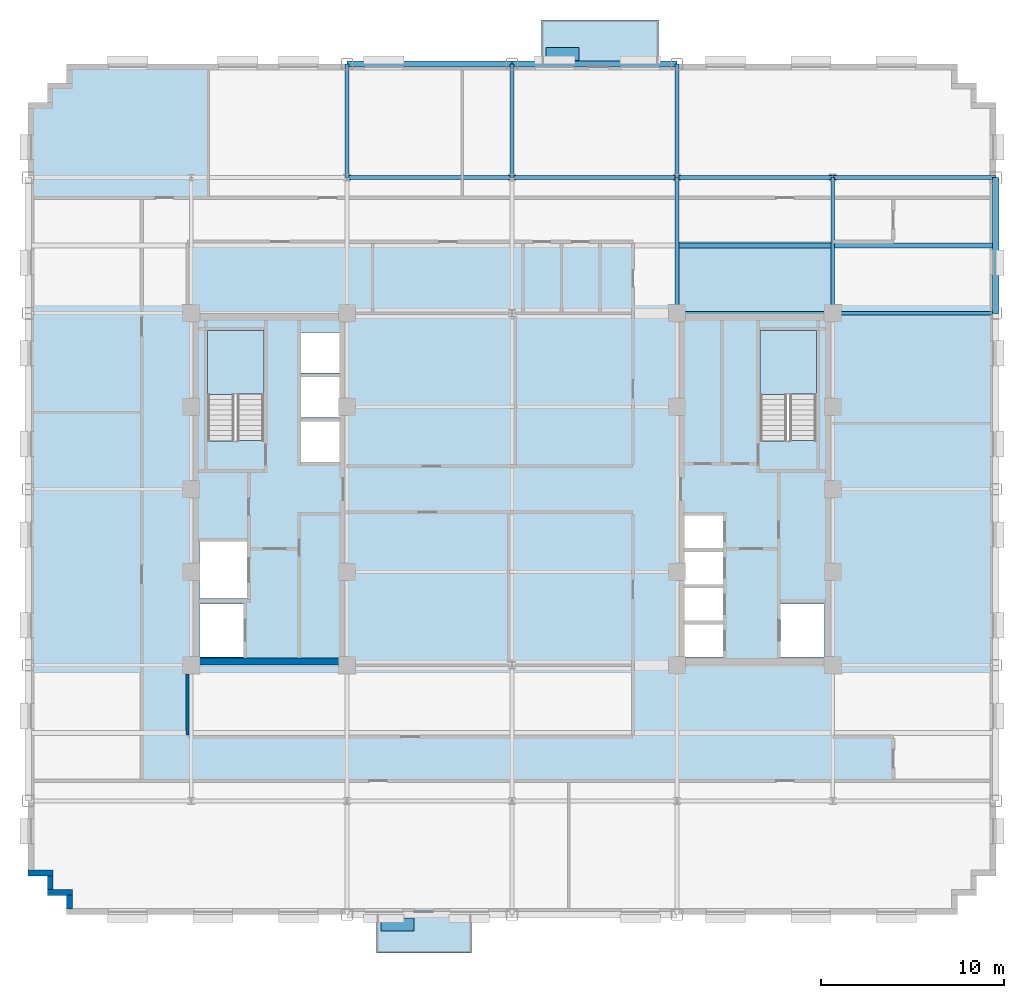
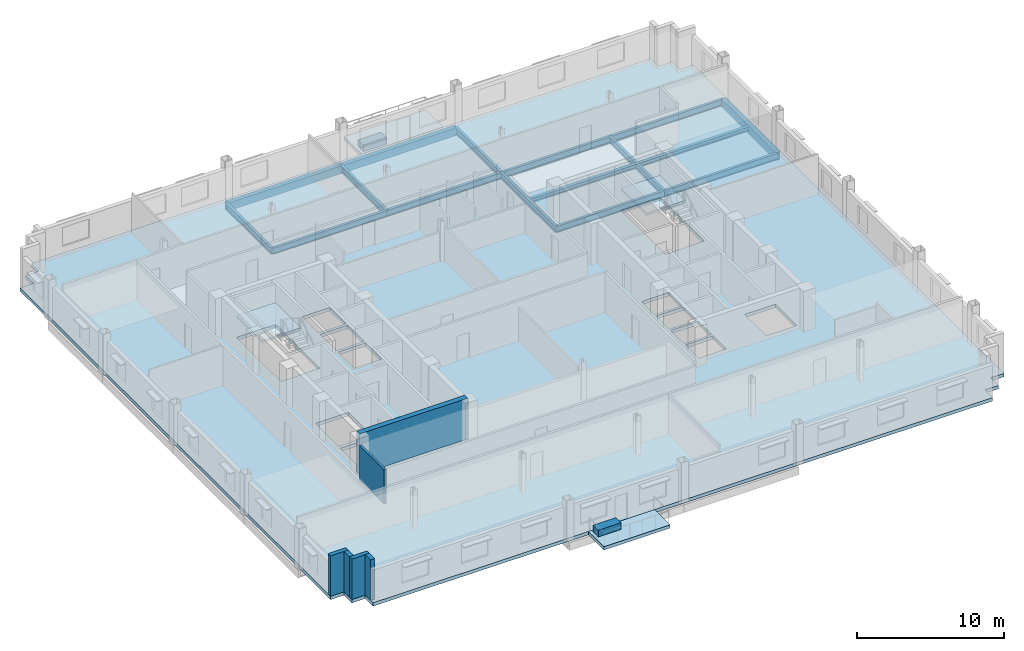
# One storey, part 5 of 14: 16 beams, 6 walls, 5 slabs, 2 plates, 2 elements without a shape of their own.
"""IFC4 building model written with IfcOpenShell, lengths in metres."""

from ifc_helpers import new_model, si_unit, direction, frame, frame_2d, origin, origin_2d, place, context, subcontext, project, spatial, polyline, rectangle, i_section, outline, extrude, source, transform, mapped, material, layer, layer_set, material_profile, profile_set, type_object, type_shapes, element, aggregate, save


model = new_model("IFC4")

# Units and contexts
model_context = context("Model", 3, precision=1e-05, world=origin(), true_north=direction((0.0, 1.0)))
body_context = subcontext(model_context, "Body", "Model", "MODEL_VIEW")
ifc_project = project(units=[si_unit("LENGTHUNIT", "METRE"), si_unit("AREAUNIT", "SQUARE_METRE"), si_unit("VOLUMEUNIT", "CUBIC_METRE"), si_unit("PLANEANGLEUNIT", "RADIAN"), si_unit("MASSUNIT", "GRAM", prefix="KILO")], contexts=[model_context])

# Site, building, storey
site_placement = place(None, origin())
site = spatial("IfcSite", under=ifc_project, at=site_placement, CompositionType="ELEMENT")
building_placement = place(site_placement, origin())
building = spatial("IfcBuilding", under=site, at=building_placement, Name="Nuvemarco Arch Tower", CompositionType="ELEMENT")
storey_placement = place(building_placement, frame((0.0, 0.0, 138.449951171875)))
storey = spatial("IfcBuildingStorey", under=building, at=storey_placement, Name="L36", CompositionType="ELEMENT", Elevation=138.449951171875)

# Beams
ifc_material_1 = material(Name="Steel S355", Category="steel")
ifc_material_profile_1 = material_profile(ifc_material_1, i_section(OverallWidth=0.2109375, OverallDepth=0.5390625, WebThickness=0.01171875, FlangeThickness=0.018798828125, FilletRadius=0.01611328125, at=origin_2d()), Name="W530x109")
ifc_profile_set_1 = profile_set([ifc_material_profile_1], Name="Steel S355")
beam_type_1 = type_object("IfcBeamType", Name="BM-GIRD-530", PredefinedType="BEAM", material=ifc_profile_set_1)
for number, where, z_axis, x_axis, name in (
    (1, (-9.0, 17.0, -0.549560546875), (0.0, 1.0, 0.0), (-1.0, 0.0, 0.0), "L36 structural beam BGNS_L36_0_-9.0_+17.0"),
    (2, (0.0, 17.0, -0.549560546875), (0.0, 1.0, 0.0), (-1.0, 0.0, 0.0), "L36 structural beam BGNS_L36_0_+0.0_+17.0"),
):
    element("IfcBeam", number, at=place(storey_placement, frame(where, z_axis=z_axis, x_axis=x_axis)), inside=storey, type_object=beam_type_1, Name=name, PredefinedType="BEAM", context=body_context, shape_type="SweptSolid", body=[
        extrude(i_section(OverallWidth=0.2109375, OverallDepth=0.5390625, WebThickness=0.01171875, FlangeThickness=0.018798828125, FilletRadius=0.01611328125, at=origin_2d()), origin(), (0.0, 0.0, 1.0), 6.199951171875),
    ])
beam_1_placement = place(storey_placement, frame((9.0, 9.60009765625, -0.549560546875), z_axis=(0.0, 1.0, 0.0), x_axis=(-1.0, 0.0, 0.0)))
element("IfcBeam", 3, at=beam_1_placement, inside=storey, type_object=beam_type_1, Name="L36 structural beam BGNS_L36_0_+9.0_+9.6", PredefinedType="BEAM", context=body_context, shape_type="SweptSolid", body=[
    extrude(i_section(OverallWidth=0.2109375, OverallDepth=0.5390625, WebThickness=0.01171875, FlangeThickness=0.018798828125, FilletRadius=0.01611328125, at=origin_2d()), origin(), (0.0, 0.0, 1.0), 7.39990234375),
])
beam_2_placement = place(storey_placement, frame((9.0, 17.0, -0.549560546875), z_axis=(0.0, 1.0, 0.0), x_axis=(-1.0, 0.0, 0.0)))
element("IfcBeam", 4, at=beam_2_placement, inside=storey, type_object=beam_type_1, Name="L36 structural beam BGNS_L36_0_+9.0_+17.0", PredefinedType="BEAM", context=body_context, shape_type="SweptSolid", body=[
    extrude(i_section(OverallWidth=0.2109375, OverallDepth=0.5390625, WebThickness=0.01171875, FlangeThickness=0.018798828125, FilletRadius=0.01611328125, at=origin_2d()), origin(), (0.0, 0.0, 1.0), 6.199951171875),
])
beam_3_placement = place(storey_placement, frame((17.5, 9.60009765625, -0.549560546875), z_axis=(0.0, 1.0, 0.0), x_axis=(-1.0, 0.0, 0.0)))
element("IfcBeam", 5, at=beam_3_placement, inside=storey, type_object=beam_type_1, Name="L36 structural beam BGNS_L36_0_+17.5_+9.6", PredefinedType="BEAM", context=body_context, shape_type="SweptSolid", body=[
    extrude(i_section(OverallWidth=0.2109375, OverallDepth=0.5390625, WebThickness=0.01171875, FlangeThickness=0.018798828125, FilletRadius=0.01611328125, at=origin_2d()), origin(), (0.0, 0.0, 1.0), 7.39990234375),
])
beam_4_placement = place(storey_placement, frame((9.0, 9.60009765625, -0.549560546875), z_axis=(1.0, 0.0, 0.0), x_axis=(0.0, 1.0, 0.0)))
element("IfcBeam", 6, at=beam_4_placement, inside=storey, type_object=beam_type_1, Name="L36 structural beam BGEW_L36_0_+9.6_+9.0", PredefinedType="BEAM", context=body_context, shape_type="SweptSolid", body=[
    extrude(i_section(OverallWidth=0.2109375, OverallDepth=0.5390625, WebThickness=0.01171875, FlangeThickness=0.018798828125, FilletRadius=0.01611328125, at=origin_2d()), origin(), (0.0, 0.0, 1.0), 8.5),
])
beam_5_placement = place(storey_placement, frame((17.5, 9.60009765625, -0.549560546875), z_axis=(1.0, 0.0, 0.0), x_axis=(0.0, 1.0, 0.0)))
element("IfcBeam", 7, at=beam_5_placement, inside=storey, type_object=beam_type_1, Name="L36 structural beam BGEW_L36_0_+9.6_+17.5", PredefinedType="BEAM", context=body_context, shape_type="SweptSolid", body=[
    extrude(i_section(OverallWidth=0.2109375, OverallDepth=0.5390625, WebThickness=0.01171875, FlangeThickness=0.018798828125, FilletRadius=0.01611328125, at=origin_2d()), origin(), (0.0, 0.0, 1.0), 8.89990234375),
])
for number, where, z_axis, x_axis, name in (
    (8, (-9.0, 17.0, -0.549560546875), (1.0, 0.0, 0.0), (0.0, 1.0, 0.0), "L36 structural beam BGEW_L36_0_+17.0_-9.0"),
    (9, (0.0, 17.0, -0.549560546875), (1.0, 0.0, 0.0), (0.0, 1.0, 0.0), "L36 structural beam BGEW_L36_0_+17.0_+0.0"),
):
    element("IfcBeam", number, at=place(storey_placement, frame(where, z_axis=z_axis, x_axis=x_axis)), inside=storey, type_object=beam_type_1, Name=name, PredefinedType="BEAM", context=body_context, shape_type="SweptSolid", body=[
        extrude(i_section(OverallWidth=0.2109375, OverallDepth=0.5390625, WebThickness=0.01171875, FlangeThickness=0.018798828125, FilletRadius=0.01611328125, at=origin_2d()), origin(), (0.0, 0.0, 1.0), 9.0),
    ])
beam_6_placement = place(storey_placement, frame((9.0, 17.0, -0.549560546875), z_axis=(1.0, 0.0, 0.0), x_axis=(0.0, 1.0, 0.0)))
element("IfcBeam", 10, at=beam_6_placement, inside=storey, type_object=beam_type_1, Name="L36 structural beam BGEW_L36_0_+17.0_+9.0", PredefinedType="BEAM", context=body_context, shape_type="SweptSolid", body=[
    extrude(i_section(OverallWidth=0.2109375, OverallDepth=0.5390625, WebThickness=0.01171875, FlangeThickness=0.018798828125, FilletRadius=0.01611328125, at=origin_2d()), origin(), (0.0, 0.0, 1.0), 8.5),
])
beam_7_placement = place(storey_placement, frame((17.5, 17.0, -0.549560546875), z_axis=(1.0, 0.0, 0.0), x_axis=(0.0, 1.0, 0.0)))
element("IfcBeam", 11, at=beam_7_placement, inside=storey, type_object=beam_type_1, Name="L36 structural beam BGEW_L36_0_+17.0_+17.5", PredefinedType="BEAM", context=body_context, shape_type="SweptSolid", body=[
    extrude(i_section(OverallWidth=0.2109375, OverallDepth=0.5390625, WebThickness=0.01171875, FlangeThickness=0.018798828125, FilletRadius=0.01611328125, at=origin_2d()), origin(), (0.0, 0.0, 1.0), 8.89990234375),
])
ifc_material_profile_2 = material_profile(ifc_material_1, i_section(OverallWidth=0.2548828125, OverallDepth=0.35693359375, WebThickness=0.010498046875, FlangeThickness=0.018310546875, FilletRadius=0.014892578125, at=origin_2d()), Name="W360x101")
ifc_profile_set_2 = profile_set([ifc_material_profile_2], Name="Steel S355")
beam_type_2 = type_object("IfcBeamType", Name="BM-JOIST-360H", PredefinedType="JOIST", material=ifc_profile_set_2)
beam_8_placement = place(storey_placement, frame((9.10546875, 13.300048828125, -0.45849609375), z_axis=(1.0, 0.0, 0.0), x_axis=(0.0, 1.0, 0.0)))
element("IfcBeam", 12, at=beam_8_placement, inside=storey, type_object=beam_type_2, Name="L36 structural beam BJ_L36_0_+13.3_+9.0", PredefinedType="JOIST", context=body_context, shape_type="SweptSolid", body=[
    extrude(i_section(OverallWidth=0.2548828125, OverallDepth=0.35693359375, WebThickness=0.010498046875, FlangeThickness=0.018310546875, FilletRadius=0.014892578125, at=origin_2d()), origin(), (0.0, 0.0, 1.0), 8.2890625),
])
beam_9_placement = place(storey_placement, frame((17.60546875, 13.300048828125, -0.45849609375), z_axis=(1.0, 0.0, 0.0), x_axis=(0.0, 1.0, 0.0)))
element("IfcBeam", 13, at=beam_9_placement, inside=storey, type_object=beam_type_2, Name="L36 structural beam BJ_L36_0_+13.3_+17.5", PredefinedType="JOIST", context=body_context, shape_type="SweptSolid", body=[
    extrude(i_section(OverallWidth=0.2548828125, OverallDepth=0.35693359375, WebThickness=0.010498046875, FlangeThickness=0.018310546875, FilletRadius=0.014892578125, at=origin_2d()), origin(), (0.0, 0.0, 1.0), 8.61962890625),
])
ifc_material_2 = material(Name="Precast concrete C45/55", Category="concrete")
ifc_material_profile_3 = material_profile(ifc_material_2, rectangle(XDim=0.35009765625, YDim=0.64990234375, at=origin_2d()), Name="PC-SP-350x650")
ifc_profile_set_3 = profile_set([ifc_material_profile_3], Name="Precast concrete C45/55")
beam_type_3 = type_object("IfcBeamType", Name="BM-SPAN-RC", PredefinedType="SPANDREL", material=ifc_profile_set_3)
beam_10_placement = place(storey_placement, frame((26.39990234375, 9.60009765625, -0.60498046875), z_axis=(0.0, 1.0, 0.0), x_axis=(-1.0, 0.0, 0.0)))
element("IfcBeam", 14, at=beam_10_placement, inside=storey, type_object=beam_type_3, Name="L36 structural beam BGNS_L36_0_+26.4_+9.6", PredefinedType="SPANDREL", context=body_context, shape_type="SweptSolid", body=[
    extrude(rectangle(XDim=0.35009765625, YDim=0.64990234375, at=origin_2d()), origin(), (0.0, 0.0, 1.0), 7.39990234375),
])
for number, where, z_axis, x_axis, name in (
    (15, (-9.0, 23.199951171875, -0.60498046875), (1.0, 0.0, 0.0), (0.0, 1.0, 0.0), "L36 structural beam BGEW_L36_0_+23.2_-9.0"),
    (16, (0.0, 23.199951171875, -0.60498046875), (1.0, 0.0, 0.0), (0.0, 1.0, 0.0), "L36 structural beam BGEW_L36_0_+23.2_+0.0"),
):
    element("IfcBeam", number, at=place(storey_placement, frame(where, z_axis=z_axis, x_axis=x_axis)), inside=storey, type_object=beam_type_3, Name=name, PredefinedType="SPANDREL", context=body_context, shape_type="SweptSolid", body=[
        extrude(rectangle(XDim=0.35009765625, YDim=0.64990234375, at=origin_2d()), origin(), (0.0, 0.0, 1.0), 9.0),
    ])

# Slab
ifc_material_3 = material(Name="Concrete C50/60", Category="concrete")
ifc_layer_1 = layer(ifc_material_3, 0.280029296875, Name="SL-FLR-280")
ifc_layer_set_1 = layer_set([ifc_layer_1], Name="Concrete C50/60")
slab_type_1 = type_object("IfcSlabType", Name="SL-FLR-280", PredefinedType="FLOOR", material=ifc_layer_set_1)
slab_1_placement = place(storey_placement, frame((0.0, 0.0, -0.280029296875)))
element("IfcSlab", 17, at=slab_1_placement, inside=storey, type_object=slab_type_1, Name="L36 structural floor slab", PredefinedType="FLOOR", context=body_context, shape_type="SweptSolid", body=[
    extrude(outline(polyline([(-24.300048828125, -23.199951171875), (24.300048828125, -23.199951171875), (24.300048828125, -22.14990234375), (25.35009765625, -22.14990234375), (25.35009765625, -21.10009765625), (26.39990234375, -21.10009765625), (26.39990234375, 21.10009765625), (25.35009765625, 21.10009765625), (25.35009765625, 22.14990234375), (24.300048828125, 22.14990234375), (24.300048828125, 23.199951171875), (-24.300048828125, 23.199951171875), (-24.300048828125, 22.14990234375), (-25.35009765625, 22.14990234375), (-25.35009765625, 21.10009765625), (-26.39990234375, 21.10009765625), (-26.39990234375, -21.10009765625), (-25.35009765625, -21.10009765625), (-25.35009765625, -22.14990234375), (-24.300048828125, -22.14990234375), (-24.300048828125, -23.199951171875)]), holes=[polyline([(-13.5400390625, 2.669921875), (-13.5400390625, 8.64990234375), (-16.60009765625, 8.64990234375), (-16.60009765625, 2.630615234375), (-15.070068359375, 2.630615234375), (-15.070068359375, 2.669921875), (-13.5400390625, 2.669921875)]), polyline([(16.60009765625, 2.669921875), (16.60009765625, 8.64990234375), (13.5400390625, 8.64990234375), (13.5400390625, 2.630615234375), (15.070068359375, 2.630615234375), (15.070068359375, 2.669921875), (16.60009765625, 2.669921875)]), polyline([(-17.050048828125, -9.14990234375), (-14.64990234375, -9.14990234375), (-14.64990234375, -6.25), (-17.050048828125, -6.25), (-17.050048828125, -9.14990234375)]), polyline([(-17.050048828125, -5.949951171875), (-14.449951171875, -5.949951171875), (-14.449951171875, -2.85009765625), (-17.050048828125, -2.85009765625), (-17.050048828125, -5.949951171875)]), polyline([(-11.5, 1.5), (-9.35009765625, 1.5), (-9.35009765625, 3.699951171875), (-11.5, 3.699951171875), (-11.5, 1.5)]), polyline([(-11.5, 3.919921875), (-9.35009765625, 3.919921875), (-9.35009765625, 6.1201171875), (-11.5, 6.1201171875), (-11.5, 3.919921875)]), polyline([(-11.5, 6.340087890625), (-9.35009765625, 6.340087890625), (-9.35009765625, 8.5400390625), (-11.5, 8.5400390625), (-11.5, 6.340087890625)]), polyline([(14.64990234375, -9.14990234375), (17.050048828125, -9.14990234375), (17.050048828125, -6.25), (14.64990234375, -6.25), (14.64990234375, -9.14990234375)]), polyline([(9.35009765625, -9.14990234375), (11.5, -9.14990234375), (11.5, -7.3701171875), (9.35009765625, -7.3701171875), (9.35009765625, -9.14990234375)]), polyline([(9.35009765625, -7.169921875), (11.5, -7.169921875), (11.5, -5.389892578125), (9.35009765625, -5.389892578125), (9.35009765625, -7.169921875)]), polyline([(9.35009765625, -5.18994140625), (11.5, -5.18994140625), (11.5, -3.409912109375), (9.35009765625, -3.409912109375), (9.35009765625, -5.18994140625)]), polyline([(9.35009765625, -3.2099609375), (11.5, -3.2099609375), (11.5, -1.429931640625), (9.35009765625, -1.429931640625), (9.35009765625, -3.2099609375)])]), origin(), (0.0, 0.0, 1.0), 0.280029296875),
])

# Stair, slab
stair_type = type_object("IfcStairType", Name="ST-CORE-20R", PredefinedType="HALF_TURN_STAIR", material=ifc_material_2)
stair_1_placement = place(storey_placement, origin())
stair_1 = element("IfcStair", 18, at=stair_1_placement, inside=storey, type_object=stair_type, Name="L36 Protected Exit Stair ST-1", PredefinedType="HALF_TURN_STAIR")
ifc_layer_2 = layer(ifc_material_2, 0.199951171875, Name="SL-LANDING-200")
ifc_layer_set_2 = layer_set([ifc_layer_2], Name="Precast concrete C45/55")
slab_type_2 = type_object("IfcSlabType", Name="SL-LANDING-200", PredefinedType="LANDING", material=ifc_layer_set_2)
slab_2_placement = place(storey_placement, frame((0.0, 0.0, 1.625)))
slab_2 = element("IfcSlab", 19, at=slab_2_placement, type_object=slab_type_2, Name="ST-20R landing 1", PredefinedType="LANDING", context=body_context, shape_type="SweptSolid", body=[
    extrude(outline(polyline([(-13.5400390625, 5.189453125), (-13.5400390625, 8.64990234375), (-16.60009765625, 8.64990234375), (-16.60009765625, 5.169921875), (-15.070068359375, 5.169921875), (-15.070068359375, 5.189453125), (-13.5400390625, 5.189453125)])), origin(), (0.0, 0.0, 1.0), 0.199951171875),
])
aggregate(stair_1, [slab_2])

stair_2_placement = place(storey_placement, origin())
stair_2 = element("IfcStair", 20, at=stair_2_placement, inside=storey, type_object=stair_type, Name="L36 Protected Exit Stair ST-2", PredefinedType="HALF_TURN_STAIR")
slab_3_placement = place(storey_placement, frame((0.0, 0.0, 1.625)))
slab_3 = element("IfcSlab", 21, at=slab_3_placement, type_object=slab_type_2, Name="ST-20R landing 1", PredefinedType="LANDING", context=body_context, shape_type="SweptSolid", body=[
    extrude(outline(polyline([(16.60009765625, 5.189453125), (16.60009765625, 8.64990234375), (13.5400390625, 8.64990234375), (13.5400390625, 5.169921875), (15.070068359375, 5.169921875), (15.070068359375, 5.189453125), (16.60009765625, 5.189453125)])), origin(), (0.0, 0.0, 1.0), 0.199951171875),
])
aggregate(stair_2, [slab_3])

# Slabs
ifc_layer_3 = layer(ifc_material_3, 0.264892578125, Name="SL-TB1")
ifc_layer_set_3 = layer_set([ifc_layer_3], Name="Concrete C50/60")
slab_type_3 = type_object("IfcSlabType", Name="SL-TB1", PredefinedType="FLOOR", material=ifc_layer_set_3)
slab_4_placement = place(storey_placement, frame((0.0, 0.0, -0.264892578125)))
element("IfcSlab", 22, at=slab_4_placement, inside=storey, type_object=slab_type_3, Name="L36 outdoor tree balcony slab 2", PredefinedType="FLOOR", context=body_context, shape_type="SweptSolid", body=[
    extrude(outline(polyline([(-7.39990234375, -25.300048828125), (-2.199951171875, -25.300048828125), (-2.199951171875, -23.199951171875), (-7.39990234375, -23.199951171875), (-7.39990234375, -25.300048828125)])), origin(), (0.0, 0.0, 1.0), 0.264892578125),
])
ifc_layer_4 = layer(ifc_material_3, 0.294921875, Name="SL-TR4")
ifc_layer_set_4 = layer_set([ifc_layer_4], Name="Concrete C50/60")
slab_type_4 = type_object("IfcSlabType", Name="SL-TR4", PredefinedType="FLOOR", material=ifc_layer_set_4)
slab_5_placement = place(storey_placement, frame((0.0, 0.0, -0.294921875)))
element("IfcSlab", 23, at=slab_5_placement, inside=storey, type_object=slab_type_4, Name="L36 outdoor spiral terrace slab 1", PredefinedType="FLOOR", context=body_context, shape_type="SweptSolid", body=[
    extrude(outline(polyline([(1.60009765625, 23.199951171875), (8.0, 23.199951171875), (8.0, 25.60009765625), (1.60009765625, 25.60009765625), (1.60009765625, 23.199951171875)])), origin(), (0.0, 0.0, 1.0), 0.294921875),
])

# Plates
ifc_layer_5 = layer(ifc_material_2, 0.550048828125, Name="Tree Balcony Structural Planter")
ifc_layer_set_5 = layer_set([ifc_layer_5], Name="Precast concrete C45/55")
plate_type = type_object("IfcPlateType", Name="Tree Balcony Structural Planter", PredefinedType="USERDEFINED", material=ifc_layer_set_5)
shared_shape = source(origin(), body_context, "Body", "SweptSolid", [
    extrude(rectangle(XDim=1.800048828125, YDim=0.699951171875, at=origin_2d()), origin(), (0.0, 0.0, 1.0), 0.550048828125),
])
type_shapes(plate_type, [shared_shape])
for number, where, z_axis, x_axis, name in (
    (24, (2.75, 23.75, 0.0), (0.0, 0.0, 1.0), (1.0, 0.0, 0.0), "L36 Tree Balcony Structural Planter"),
    (25, (-6.25, -23.75, 0.0), (0.0, 0.0, 1.0), (1.0, 0.0, 0.0), "L36 Tree Balcony Structural Planter"),
):
    element("IfcPlate", number, at=place(storey_placement, frame(where, z_axis=z_axis, x_axis=x_axis)), inside=storey, type_object=plate_type, Name=name, ObjectType="PLANTER", PredefinedType="USERDEFINED", context=body_context, shape_type="MappedRepresentation", body=[
        mapped(shared_shape, transform((0.0, 0.0, 0.0), scale=1.0)),
    ])

# Walls
ifc_layer_6 = layer(ifc_material_2, 0.320068359375, Name="EW-MID-320")
ifc_layer_set_6 = layer_set([ifc_layer_6], Name="Precast concrete C45/55")
wall_type_1 = type_object("IfcWallType", Name="EW-MID-320", PredefinedType="STANDARD", material=ifc_layer_set_6)
wall_1_placement = place(storey_placement, frame((-26.39990234375, -20.93994140625, 0.0), z_axis=(0.0, 0.0, 1.0), x_axis=(1.0, 0.0, 0.0)))
element("IfcWall", 26, at=wall_1_placement, inside=storey, type_object=wall_type_1, Name="L36 exterior precast facade wall 17", PredefinedType="STANDARD", context=body_context, shape_type="SweptSolid", body=[
    extrude(rectangle(XDim=1.369873046875, YDim=0.320068359375, at=frame_2d((0.68505859375, 0.0))), origin(), (0.0, 0.0, 1.0), 3.360107421875),
])
wall_2_placement = place(storey_placement, frame((-25.18994140625, -21.833984375, 0.0), z_axis=(0.0, 0.0, 1.0), x_axis=(0.0, 1.0, 0.0)))
element("IfcWall", 27, at=wall_2_placement, inside=storey, type_object=wall_type_1, Name="L36 exterior precast facade wall 18", PredefinedType="STANDARD", context=body_context, shape_type="SweptSolid", body=[
    extrude(rectangle(XDim=0.738037109375, YDim=0.320068359375, at=frame_2d((0.369140625, 0.0))), origin(), (0.0, 0.0, 1.0), 3.360107421875),
])
wall_3_placement = place(storey_placement, frame((-25.35009765625, -21.989990234375, 0.0), z_axis=(0.0, 0.0, 1.0), x_axis=(1.0, 0.0, 0.0)))
element("IfcWall", 28, at=wall_3_placement, inside=storey, type_object=wall_type_1, Name="L36 exterior precast facade wall 19", PredefinedType="STANDARD", context=body_context, shape_type="SweptSolid", body=[
    extrude(rectangle(XDim=1.3701171875, YDim=0.320068359375, at=frame_2d((0.68505859375, 0.0))), origin(), (0.0, 0.0, 1.0), 3.360107421875),
])
wall_4_placement = place(storey_placement, frame((-24.139892578125, -22.884033203125, 0.0), z_axis=(0.0, 0.0, 1.0), x_axis=(0.0, 1.0, 0.0)))
element("IfcWall", 29, at=wall_4_placement, inside=storey, type_object=wall_type_1, Name="L36 exterior precast facade wall 20", PredefinedType="STANDARD", context=body_context, shape_type="SweptSolid", body=[
    extrude(rectangle(XDim=0.738037109375, YDim=0.320068359375, at=frame_2d((0.369140625, 0.0))), origin(), (0.0, 0.0, 1.0), 3.360107421875),
])
ifc_material_4 = material(Name="Concrete C60/75", Category="concrete")
ifc_layer_7 = layer(ifc_material_4, 0.39990234375, Name="WL-CORE-400")
ifc_layer_set_7 = layer_set([ifc_layer_7], Name="Concrete C60/75")
wall_type_2 = type_object("IfcWallType", Name="WL-CORE-400", PredefinedType="SHEAR", material=ifc_layer_set_7)
wall_5_placement = place(storey_placement, frame((-17.5, -9.39990234375, 0.0), z_axis=(0.0, 0.0, 1.0), x_axis=(1.0, 0.0, 0.0)))
element("IfcWall", 30, at=wall_5_placement, inside=storey, type_object=wall_type_2, Name="L36 W-core shear wall S", PredefinedType="SHEAR", context=body_context, shape_type="SweptSolid", body=[
    extrude(rectangle(XDim=8.5, YDim=0.39990234375, at=frame_2d((4.25, 0.0))), origin(), (0.0, 0.0, 1.0), 3.3701171875),
])
ifc_material_5 = material(Name="Fire-rated gypsum drywall partition")
ifc_layer_8 = layer(ifc_material_5, 0.179931640625, Name="WL-CORR-180")
ifc_layer_set_8 = layer_set([ifc_layer_8], Name="Fire-rated gypsum drywall partition")
wall_type_3 = type_object("IfcWallType", Name="WL-CORR-180", PredefinedType="PARTITIONING", material=ifc_layer_set_8)
wall_6_placement = place(storey_placement, frame((-17.699951171875, -13.4140625, 0.0), z_axis=(0.0, 0.0, 1.0), x_axis=(0.0, 1.0, 0.0)))
element("IfcWall", 31, at=wall_6_placement, inside=storey, type_object=wall_type_3, Name="L36 interior wall IW-L36-016", PredefinedType="PARTITIONING", context=body_context, shape_type="SweptSolid", body=[
    extrude(rectangle(XDim=3.343017578125, YDim=0.179931640625, at=frame_2d((1.67138671875, 0.0))), origin(), (0.0, 0.0, 1.0), 2.816162109375),
])

save(model, "model.ifc")
